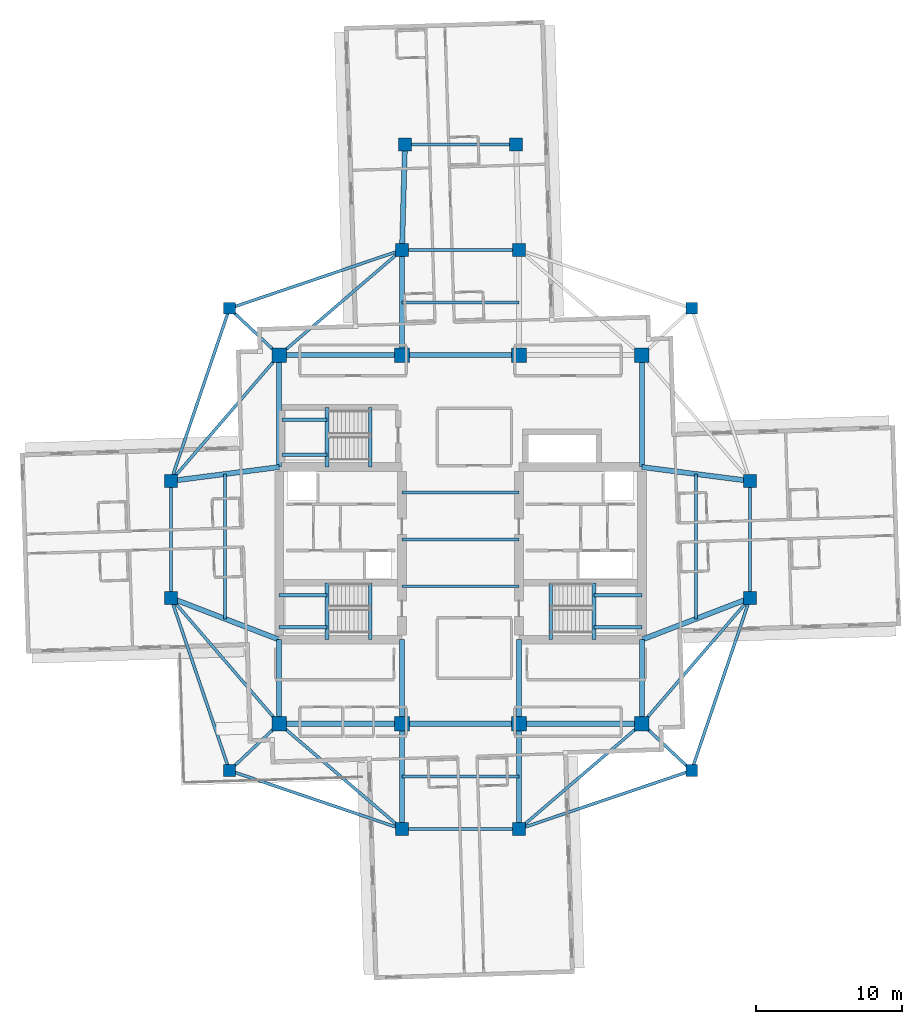
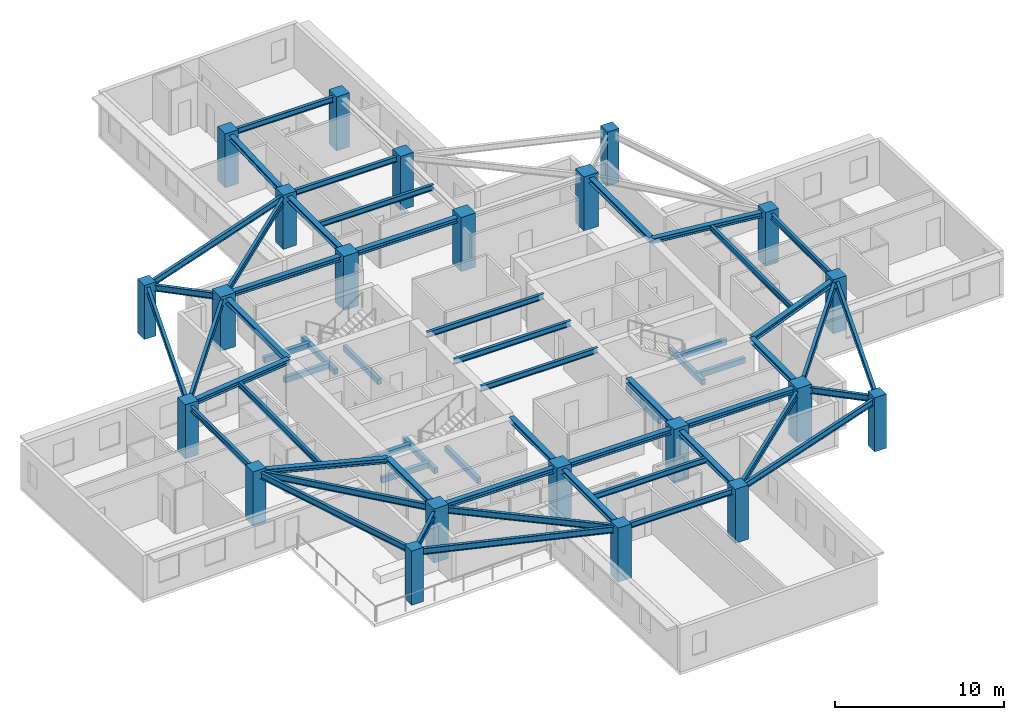
# One storey, part 1 of 12: 58 beams, 22 columns.
"""IFC4 building model written with IfcOpenShell, lengths in metres."""

from ifc_helpers import new_model, si_unit, direction, frame, origin, origin_2d, place, context, subcontext, project, spatial, rectangle, i_section, extrude, material, material_profile, profile_set, type_object, element, save


model = new_model("IFC4")

# Units and contexts
model_context = context("Model", 3, precision=1e-05, world=origin(), true_north=direction((0.0, 1.0)))
body_context = subcontext(model_context, "Body", "Model", "MODEL_VIEW")
ifc_project = project(units=[si_unit("LENGTHUNIT", "METRE"), si_unit("AREAUNIT", "SQUARE_METRE"), si_unit("VOLUMEUNIT", "CUBIC_METRE"), si_unit("PLANEANGLEUNIT", "RADIAN"), si_unit("MASSUNIT", "GRAM", prefix="KILO")], contexts=[model_context])

# Site, building, storey
site_placement = place(None, origin())
site = spatial("IfcSite", under=ifc_project, at=site_placement, CompositionType="ELEMENT")
building_placement = place(site_placement, origin())
building = spatial("IfcBuilding", under=site, at=building_placement, Name="Qingluan Cross Belvedere", CompositionType="ELEMENT")
storey_placement = place(building_placement, frame((0.0, 0.0, 216.89990234375)))
storey = spatial("IfcBuildingStorey", under=building, at=storey_placement, Name="L54", CompositionType="ELEMENT", Elevation=216.89990234375)

# Columns
ifc_material_1 = material(Name="Concrete C50", Category="concrete")
ifc_material_profile_1 = material_profile(ifc_material_1, rectangle(XDim=1.0, YDim=1.0, at=origin_2d()), Name="RC1000x1000")
ifc_profile_set_1 = profile_set([ifc_material_profile_1], Name="Concrete C50")
column_type_1 = type_object("IfcColumnType", Name="Column_RC1000x1000", PredefinedType="COLUMN", material=ifc_profile_set_1)
for number, where, z_axis, x_axis, name in (
    (1, (-12.39990234375, -12.60009765625, 0.0), (0.0, 0.0, 1.0), (1.0, 0.0, 0.0), "Hub column L54-HC1"),
    (2, (12.39990234375, -12.60009765625, 0.0), (0.0, 0.0, 1.0), (1.0, 0.0, 0.0), "Hub column L54-HC2"),
    (3, (12.39990234375, 12.60009765625, 0.0), (0.0, 0.0, 1.0), (1.0, 0.0, 0.0), "Hub column L54-HC3"),
    (4, (-12.39990234375, 12.60009765625, 0.0), (0.0, 0.0, 1.0), (1.0, 0.0, 0.0), "Hub column L54-HC4"),
    (5, (-4.0, -12.60009765625, 0.0), (0.0, 0.0, 1.0), (1.0, 0.0, 0.0), "Hub column L54-HC5"),
    (6, (4.0, -12.60009765625, 0.0), (0.0, 0.0, 1.0), (1.0, 0.0, 0.0), "Hub column L54-HC6"),
    (7, (4.0, 12.60009765625, 0.0), (0.0, 0.0, 1.0), (1.0, 0.0, 0.0), "Hub column L54-HC7"),
    (8, (-4.0, 12.60009765625, 0.0), (0.0, 0.0, 1.0), (1.0, 0.0, 0.0), "Hub column L54-HC8"),
):
    element("IfcColumn", number, at=place(storey_placement, frame(where, z_axis=z_axis, x_axis=x_axis)), inside=storey, type_object=column_type_1, Name=name, PredefinedType="COLUMN", context=body_context, shape_type="SweptSolid", body=[
        extrude(rectangle(XDim=1.0, YDim=1.0, at=origin_2d()), origin(), (0.0, 0.0, 1.0), 3.900146484375),
    ])
ifc_material_2 = material(Name="Concrete C50", Category="concrete")
ifc_material_profile_2 = material_profile(ifc_material_2, rectangle(XDim=0.800048828125, YDim=0.800048828125, at=origin_2d()), Name="RC800x800")
ifc_profile_set_2 = profile_set([ifc_material_profile_2], Name="Concrete C50")
column_type_2 = type_object("IfcColumnType", Name="Column_RC800x800", PredefinedType="COLUMN", material=ifc_profile_set_2)
for number, where, z_axis, x_axis, name in (
    (9, (15.800048828125, 15.800048828125, 0.0), (0.0, 0.0, 1.0), (1.0, 0.0, 0.0), "Corner column L54-RNE"),
    (10, (-15.800048828125, 15.800048828125, 0.0), (0.0, 0.0, 1.0), (1.0, 0.0, 0.0), "Corner column L54-RNW"),
    (11, (-15.800048828125, -15.800048828125, 0.0), (0.0, 0.0, 1.0), (1.0, 0.0, 0.0), "Corner column L54-RSW"),
    (12, (15.800048828125, -15.800048828125, 0.0), (0.0, 0.0, 1.0), (1.0, 0.0, 0.0), "Corner column L54-RSE"),
):
    element("IfcColumn", number, at=place(storey_placement, frame(where, z_axis=z_axis, x_axis=x_axis)), inside=storey, type_object=column_type_2, Name=name, PredefinedType="COLUMN", context=body_context, shape_type="SweptSolid", body=[
        extrude(rectangle(XDim=0.800048828125, YDim=0.800048828125, at=origin_2d()), origin(), (0.0, 0.0, 1.0), 3.900146484375),
    ])
ifc_material_3 = material(Name="Concrete C50", Category="concrete")
ifc_material_profile_3 = material_profile(ifc_material_3, rectangle(XDim=0.89990234375, YDim=0.89990234375, at=origin_2d()), Name="RC900x900")
ifc_profile_set_3 = profile_set([ifc_material_profile_3], Name="Concrete C50")
column_type_3 = type_object("IfcColumnType", Name="Column_RC900x900", PredefinedType="COLUMN", material=ifc_profile_set_3)
for number, where, z_axis, x_axis, name in (
    (13, (19.800048828125, -4.0, 0.0), (0.0, 0.0, 1.0), (1.0, 0.0, 0.0), "Arm column L54-EIA"),
    (14, (19.800048828125, 4.0, 0.0), (0.0, 0.0, 1.0), (1.0, 0.0, 0.0), "Arm column L54-EIB"),
    (15, (-19.800048828125, -4.0, 0.0), (0.0, 0.0, 1.0), (1.0, 0.0, 0.0), "Arm column L54-WIA"),
    (16, (-19.800048828125, 4.0, 0.0), (0.0, 0.0, 1.0), (1.0, 0.0, 0.0), "Arm column L54-WIB"),
    (17, (-4.0, -19.800048828125, 0.0), (0.0, 0.0, 1.0), (1.0, 0.0, 0.0), "Arm column L54-SIA"),
    (18, (4.0, -19.800048828125, 0.0), (0.0, 0.0, 1.0), (1.0, 0.0, 0.0), "Arm column L54-SIB"),
    (19, (-4.0, 19.800048828125, 0.0), (0.0, 0.0, 1.0), (1.0, 0.0, 0.0), "Arm column L54-NIA"),
    (20, (4.0, 19.800048828125, 0.0), (0.0, 0.0, 1.0), (1.0, 0.0, 0.0), "Arm column L54-NIB"),
    (21, (-3.800048828125, 27.0, 0.0), (0.0, 0.0, 1.0), (1.0, 0.0, 0.0), "Arm column L54-NOA"),
    (22, (3.800048828125, 27.0, 0.0), (0.0, 0.0, 1.0), (1.0, 0.0, 0.0), "Arm column L54-NOB"),
):
    element("IfcColumn", number, at=place(storey_placement, frame(where, z_axis=z_axis, x_axis=x_axis)), inside=storey, type_object=column_type_3, Name=name, PredefinedType="COLUMN", context=body_context, shape_type="SweptSolid", body=[
        extrude(rectangle(XDim=0.89990234375, YDim=0.89990234375, at=origin_2d()), origin(), (0.0, 0.0, 1.0), 3.900146484375),
    ])

# Beams
ifc_material_4 = material(Name="Concrete C45", Category="concrete")
ifc_material_profile_4 = material_profile(ifc_material_4, rectangle(XDim=0.25, YDim=0.39990234375, at=origin_2d()), Name="RC250x400")
ifc_profile_set_4 = profile_set([ifc_material_profile_4], Name="Concrete C45")
beam_type_1 = type_object("IfcBeamType", Name="RC_Lintel_RC250x400", PredefinedType="LINTEL", material=ifc_profile_set_4)
for number, where, z_axis, x_axis, name in (
    (23, (-6.179931640625, -6.85009765625, -0.199951171875), (0.0, 1.0, 0.0), (-1.0, 0.0, 0.0), "Stair ST1 landing beam L54"),
    (24, (6.179931640625, -6.85009765625, -0.199951171875), (0.0, 1.0, 0.0), (-1.0, 0.0, 0.0), "Stair ST2 landing beam L54"),
):
    element("IfcBeam", number, at=place(storey_placement, frame(where, z_axis=z_axis, x_axis=x_axis)), inside=storey, type_object=beam_type_1, Name=name, PredefinedType="LINTEL", context=body_context, shape_type="SweptSolid", body=[
        extrude(rectangle(XDim=0.25, YDim=0.39990234375, at=origin_2d()), origin(), (0.0, 0.0, 1.0), 3.89013671875),
    ])
beam_1_placement = place(storey_placement, frame((-6.179931640625, 4.949951171875, -0.199951171875), z_axis=(0.0, 1.0, 0.0), x_axis=(-1.0, 0.0, 0.0)))
element("IfcBeam", 25, at=beam_1_placement, inside=storey, type_object=beam_type_1, Name="Stair ST3 landing beam L54", PredefinedType="LINTEL", context=body_context, shape_type="SweptSolid", body=[
    extrude(rectangle(XDim=0.25, YDim=0.39990234375, at=origin_2d()), origin(), (0.0, 0.0, 1.0), 4.090087890625),
])
beam_2_placement = place(storey_placement, frame((-9.1298828125, -6.85009765625, 1.550048828125), z_axis=(0.0, 1.0, 0.0), x_axis=(-1.0, 0.0, 0.0)))
element("IfcBeam", 26, at=beam_2_placement, inside=storey, type_object=beam_type_1, Name="Stair ST1 beam A L54", PredefinedType="LINTEL", context=body_context, shape_type="SweptSolid", body=[
    extrude(rectangle(XDim=0.25, YDim=0.39990234375, at=origin_2d()), origin(), (0.0, 0.0, 1.0), 3.89013671875),
])
for number, where, z_axis, x_axis, name in (
    (27, (-12.39990234375, -6.0, 1.550048828125), (1.0, 0.0, 0.0), (0.0, 1.0, 0.0), "Stair ST1 beam B L54"),
    (28, (-12.39990234375, -3.81005859375, 1.550048828125), (1.0, 0.0, 0.0), (0.0, 1.0, 0.0), "Stair ST1 beam C L54"),
):
    element("IfcBeam", number, at=place(storey_placement, frame(where, z_axis=z_axis, x_axis=x_axis)), inside=storey, type_object=beam_type_1, Name=name, PredefinedType="LINTEL", context=body_context, shape_type="SweptSolid", body=[
        extrude(rectangle(XDim=0.25, YDim=0.39990234375, at=origin_2d()), origin(), (0.0, 0.0, 1.0), 3.27001953125),
    ])
beam_3_placement = place(storey_placement, frame((9.1298828125, -6.85009765625, 1.550048828125), z_axis=(0.0, 1.0, 0.0), x_axis=(-1.0, 0.0, 0.0)))
element("IfcBeam", 29, at=beam_3_placement, inside=storey, type_object=beam_type_1, Name="Stair ST2 beam A L54", PredefinedType="LINTEL", context=body_context, shape_type="SweptSolid", body=[
    extrude(rectangle(XDim=0.25, YDim=0.39990234375, at=origin_2d()), origin(), (0.0, 0.0, 1.0), 3.89013671875),
])
for number, where, z_axis, x_axis, name in (
    (30, (12.39990234375, -6.0, 1.550048828125), (-1.0, 0.0, 0.0), (0.0, -1.0, 0.0), "Stair ST2 beam B L54"),
    (31, (12.39990234375, -3.81005859375, 1.550048828125), (-1.0, 0.0, 0.0), (0.0, -1.0, 0.0), "Stair ST2 beam C L54"),
):
    element("IfcBeam", number, at=place(storey_placement, frame(where, z_axis=z_axis, x_axis=x_axis)), inside=storey, type_object=beam_type_1, Name=name, PredefinedType="LINTEL", context=body_context, shape_type="SweptSolid", body=[
        extrude(rectangle(XDim=0.25, YDim=0.39990234375, at=origin_2d()), origin(), (0.0, 0.0, 1.0), 3.27001953125),
    ])
beam_4_placement = place(storey_placement, frame((-9.1298828125, 4.949951171875, 1.550048828125), z_axis=(0.0, 1.0, 0.0), x_axis=(-1.0, 0.0, 0.0)))
element("IfcBeam", 32, at=beam_4_placement, inside=storey, type_object=beam_type_1, Name="Stair ST3 beam A L54", PredefinedType="LINTEL", context=body_context, shape_type="SweptSolid", body=[
    extrude(rectangle(XDim=0.25, YDim=0.39990234375, at=origin_2d()), origin(), (0.0, 0.0, 1.0), 4.090087890625),
])
for number, where, z_axis, x_axis, name in (
    (33, (-12.219970703125, 5.800048828125, 1.550048828125), (1.0, 0.0, 0.0), (0.0, 1.0, 0.0), "Stair ST3 beam B L54"),
    (34, (-12.219970703125, 8.18994140625, 1.550048828125), (1.0, 0.0, 0.0), (0.0, 1.0, 0.0), "Stair ST3 beam C L54"),
):
    element("IfcBeam", number, at=place(storey_placement, frame(where, z_axis=z_axis, x_axis=x_axis)), inside=storey, type_object=beam_type_1, Name=name, PredefinedType="LINTEL", context=body_context, shape_type="SweptSolid", body=[
        extrude(rectangle(XDim=0.25, YDim=0.39990234375, at=origin_2d()), origin(), (0.0, 0.0, 1.0), 3.090087890625),
    ])
ifc_material_5 = material(Name="Steel Q420GJB", Category="steel")
ifc_material_profile_5 = material_profile(ifc_material_5, i_section(OverallWidth=0.199951171875, OverallDepth=0.39990234375, WebThickness=0.008056640625, FlangeThickness=0.012939453125, FilletRadius=0.012939453125, at=origin_2d()), Name="HN400x200x8x13")
ifc_profile_set_5 = profile_set([ifc_material_profile_5], Name="Steel Q420GJB")
beam_type_2 = type_object("IfcBeamType", Name="Steel_Beam_HN400x200x8x13", PredefinedType="JOIST", material=ifc_profile_set_5)
for number, where, z_axis, x_axis, name in (
    (35, (-4.0, -3.199951171875, 3.5), (1.0, 0.0, 0.0), (0.0, 1.0, 0.0), "Hall beam L54-CH1"),
    (36, (-4.0, 0.0, 3.5), (1.0, 0.0, 0.0), (0.0, 1.0, 0.0), "Hall beam L54-CH2"),
    (37, (-4.0, 3.199951171875, 3.5), (1.0, 0.0, 0.0), (0.0, 1.0, 0.0), "Hall beam L54-CH3"),
    (38, (19.800048828125, -4.0, 3.5), (0.0, 1.0, 0.0), (-1.0, 0.0, 0.0), "Arm E tie L54"),
):
    element("IfcBeam", number, at=place(storey_placement, frame(where, z_axis=z_axis, x_axis=x_axis)), inside=storey, type_object=beam_type_2, Name=name, PredefinedType="JOIST", context=body_context, shape_type="SweptSolid", body=[
        extrude(i_section(OverallWidth=0.199951171875, OverallDepth=0.39990234375, WebThickness=0.008056640625, FlangeThickness=0.012939453125, FilletRadius=0.012939453125, at=origin_2d()), origin(), (0.0, 0.0, 1.0), 8.0),
    ])
beam_5_placement = place(storey_placement, frame((16.10009765625, -5.425048828125, 3.5), z_axis=(0.0, 1.0, 0.0), x_axis=(-1.0, 0.0, 0.0)))
element("IfcBeam", 39, at=beam_5_placement, inside=storey, type_object=beam_type_2, Name="Arm E beam L54", PredefinedType="JOIST", context=body_context, shape_type="SweptSolid", body=[
    extrude(i_section(OverallWidth=0.199951171875, OverallDepth=0.39990234375, WebThickness=0.008056640625, FlangeThickness=0.012939453125, FilletRadius=0.012939453125, at=origin_2d()), origin(), (0.0, 0.0, 1.0), 9.900146484375),
])
beam_6_placement = place(storey_placement, frame((-19.800048828125, -4.0, 3.5), z_axis=(0.0, 1.0, 0.0), x_axis=(-1.0, 0.0, 0.0)))
element("IfcBeam", 40, at=beam_6_placement, inside=storey, type_object=beam_type_2, Name="Arm W tie L54", PredefinedType="JOIST", context=body_context, shape_type="SweptSolid", body=[
    extrude(i_section(OverallWidth=0.199951171875, OverallDepth=0.39990234375, WebThickness=0.008056640625, FlangeThickness=0.012939453125, FilletRadius=0.012939453125, at=origin_2d()), origin(), (0.0, 0.0, 1.0), 8.0),
])
beam_7_placement = place(storey_placement, frame((-16.10009765625, -5.425048828125, 3.5), z_axis=(0.0, 1.0, 0.0), x_axis=(-1.0, 0.0, 0.0)))
element("IfcBeam", 41, at=beam_7_placement, inside=storey, type_object=beam_type_2, Name="Arm W beam L54", PredefinedType="JOIST", context=body_context, shape_type="SweptSolid", body=[
    extrude(i_section(OverallWidth=0.199951171875, OverallDepth=0.39990234375, WebThickness=0.008056640625, FlangeThickness=0.012939453125, FilletRadius=0.012939453125, at=origin_2d()), origin(), (0.0, 0.0, 1.0), 9.900146484375),
])
for number, where, z_axis, x_axis, name in (
    (42, (-4.0, 19.800048828125, 3.5), (1.0, 0.0, 0.0), (0.0, 1.0, 0.0), "Arm N tie L54"),
    (43, (-4.0, 16.199951171875, 3.5), (1.0, 0.0, 0.0), (0.0, 1.0, 0.0), "Arm N beam L54"),
):
    element("IfcBeam", number, at=place(storey_placement, frame(where, z_axis=z_axis, x_axis=x_axis)), inside=storey, type_object=beam_type_2, Name=name, PredefinedType="JOIST", context=body_context, shape_type="SweptSolid", body=[
        extrude(i_section(OverallWidth=0.199951171875, OverallDepth=0.39990234375, WebThickness=0.008056640625, FlangeThickness=0.012939453125, FilletRadius=0.012939453125, at=origin_2d()), origin(), (0.0, 0.0, 1.0), 8.0),
    ])
beam_8_placement = place(storey_placement, frame((-3.800048828125, 27.0, 3.5), z_axis=(1.0, 0.0, 0.0), x_axis=(0.0, 1.0, 0.0)))
element("IfcBeam", 44, at=beam_8_placement, inside=storey, type_object=beam_type_2, Name="Arm N tip transverse beam L54", PredefinedType="JOIST", context=body_context, shape_type="SweptSolid", body=[
    extrude(i_section(OverallWidth=0.199951171875, OverallDepth=0.39990234375, WebThickness=0.008056640625, FlangeThickness=0.012939453125, FilletRadius=0.012939453125, at=origin_2d()), origin(), (0.0, 0.0, 1.0), 7.60009765625),
])
for number, where, z_axis, x_axis, name in (
    (45, (-4.0, -19.800048828125, 3.5), (1.0, 0.0, 0.0), (0.0, 1.0, 0.0), "Arm S tie L54"),
    (46, (-4.0, -16.199951171875, 3.5), (1.0, 0.0, 0.0), (0.0, 1.0, 0.0), "Arm S beam L54"),
):
    element("IfcBeam", number, at=place(storey_placement, frame(where, z_axis=z_axis, x_axis=x_axis)), inside=storey, type_object=beam_type_2, Name=name, PredefinedType="JOIST", context=body_context, shape_type="SweptSolid", body=[
        extrude(i_section(OverallWidth=0.199951171875, OverallDepth=0.39990234375, WebThickness=0.008056640625, FlangeThickness=0.012939453125, FilletRadius=0.012939453125, at=origin_2d()), origin(), (0.0, 0.0, 1.0), 8.0),
    ])
ifc_material_6 = material(Name="Steel Q420GJB", Category="steel")
ifc_material_profile_6 = material_profile(ifc_material_6, i_section(OverallWidth=0.199951171875, OverallDepth=0.449951171875, WebThickness=0.009033203125, FlangeThickness=0.013916015625, FilletRadius=0.01611328125, at=origin_2d()), Name="HN450x200x9x14")
ifc_profile_set_6 = profile_set([ifc_material_profile_6], Name="Steel Q420GJB")
beam_type_3 = type_object("IfcBeamType", Name="Steel_Beam_HN450x200x9x14", PredefinedType="JOIST", material=ifc_profile_set_6)
beam_9_placement = place(storey_placement, frame((-12.39990234375, 12.60009765625, 3.47509765625), z_axis=(-0.728219948308, 0.685343495546, 0.0), x_axis=(-0.685343495546, -0.728219948308, 0.0)))
element("IfcBeam", 47, at=beam_9_placement, inside=storey, type_object=beam_type_3, Name="Corner beam 1 L54-RNW", PredefinedType="JOIST", context=body_context, shape_type="SweptSolid", body=[
    extrude(i_section(OverallWidth=0.199951171875, OverallDepth=0.449951171875, WebThickness=0.009033203125, FlangeThickness=0.013916015625, FilletRadius=0.01611328125, at=origin_2d()), origin(), (0.0, 0.0, 1.0), 4.669189453125),
])
for number, where, z_axis, x_axis, name in (
    (48, (-15.800048828125, 15.800048828125, 3.47509765625), (0.947066283324, 0.321038089628, 0.0), (-0.321038089628, 0.947066283324, 0.0), "Corner beam 2 L54-RNW"),
    (49, (-15.800048828125, 15.800048828125, 3.47509765625), (-0.321038089628, -0.947066283324, 0.0), (0.947066283324, -0.321038089628, 0.0), "Corner beam 3 L54-RNW"),
):
    element("IfcBeam", number, at=place(storey_placement, frame(where, z_axis=z_axis, x_axis=x_axis)), inside=storey, type_object=beam_type_3, Name=name, PredefinedType="JOIST", context=body_context, shape_type="SweptSolid", body=[
        extrude(i_section(OverallWidth=0.199951171875, OverallDepth=0.449951171875, WebThickness=0.009033203125, FlangeThickness=0.013916015625, FilletRadius=0.01611328125, at=origin_2d()), origin(), (0.0, 0.0, 1.0), 12.45947265625),
    ])
beam_10_placement = place(storey_placement, frame((-12.39990234375, 12.60009765625, 3.47509765625), z_axis=(-0.652245077546, -0.75800815221, 0.0), x_axis=(0.75800815221, -0.652245077546, 0.0)))
element("IfcBeam", 50, at=beam_10_placement, inside=storey, type_object=beam_type_3, Name="Corner beam 4 L54-RNW", PredefinedType="JOIST", context=body_context, shape_type="SweptSolid", body=[
    extrude(i_section(OverallWidth=0.199951171875, OverallDepth=0.449951171875, WebThickness=0.009033203125, FlangeThickness=0.013916015625, FilletRadius=0.01611328125, at=origin_2d()), origin(), (0.0, 0.0, 1.0), 11.345703125),
])
beam_11_placement = place(storey_placement, frame((-12.39990234375, 12.60009765625, 3.47509765625), z_axis=(0.759255044656, 0.650793190779, 0.0), x_axis=(-0.650793190779, 0.759255044656, 0.0)))
element("IfcBeam", 51, at=beam_11_placement, inside=storey, type_object=beam_type_3, Name="Corner beam 5 L54-RNW", PredefinedType="JOIST", context=body_context, shape_type="SweptSolid", body=[
    extrude(i_section(OverallWidth=0.199951171875, OverallDepth=0.449951171875, WebThickness=0.009033203125, FlangeThickness=0.013916015625, FilletRadius=0.01611328125, at=origin_2d()), origin(), (0.0, 0.0, 1.0), 11.063232421875),
])
beam_12_placement = place(storey_placement, frame((-12.39990234375, -12.60009765625, 3.47509765625), z_axis=(-0.728219948308, -0.685343495546, 0.0), x_axis=(0.685343495546, -0.728219948308, 0.0)))
element("IfcBeam", 52, at=beam_12_placement, inside=storey, type_object=beam_type_3, Name="Corner beam 1 L54-RSW", PredefinedType="JOIST", context=body_context, shape_type="SweptSolid", body=[
    extrude(i_section(OverallWidth=0.199951171875, OverallDepth=0.449951171875, WebThickness=0.009033203125, FlangeThickness=0.013916015625, FilletRadius=0.01611328125, at=origin_2d()), origin(), (0.0, 0.0, 1.0), 4.669189453125),
])
for number, where, z_axis, x_axis, name in (
    (53, (-15.800048828125, -15.800048828125, 3.47509765625), (0.947066283324, -0.321038089628, 0.0), (0.321038089628, 0.947066283324, 0.0), "Corner beam 2 L54-RSW"),
    (54, (-15.800048828125, -15.800048828125, 3.47509765625), (-0.321038089628, 0.947066283324, 0.0), (-0.947066283324, -0.321038089628, 0.0), "Corner beam 3 L54-RSW"),
):
    element("IfcBeam", number, at=place(storey_placement, frame(where, z_axis=z_axis, x_axis=x_axis)), inside=storey, type_object=beam_type_3, Name=name, PredefinedType="JOIST", context=body_context, shape_type="SweptSolid", body=[
        extrude(i_section(OverallWidth=0.199951171875, OverallDepth=0.449951171875, WebThickness=0.009033203125, FlangeThickness=0.013916015625, FilletRadius=0.01611328125, at=origin_2d()), origin(), (0.0, 0.0, 1.0), 12.45947265625),
    ])
beam_13_placement = place(storey_placement, frame((-12.39990234375, -12.60009765625, 3.47509765625), z_axis=(-0.652245077546, 0.75800815221, 0.0), x_axis=(-0.75800815221, -0.652245077546, 0.0)))
element("IfcBeam", 55, at=beam_13_placement, inside=storey, type_object=beam_type_3, Name="Corner beam 4 L54-RSW", PredefinedType="JOIST", context=body_context, shape_type="SweptSolid", body=[
    extrude(i_section(OverallWidth=0.199951171875, OverallDepth=0.449951171875, WebThickness=0.009033203125, FlangeThickness=0.013916015625, FilletRadius=0.01611328125, at=origin_2d()), origin(), (0.0, 0.0, 1.0), 11.345703125),
])
beam_14_placement = place(storey_placement, frame((-12.39990234375, -12.60009765625, 3.47509765625), z_axis=(0.759255044656, -0.650793190779, 0.0), x_axis=(0.650793190779, 0.759255044656, 0.0)))
element("IfcBeam", 56, at=beam_14_placement, inside=storey, type_object=beam_type_3, Name="Corner beam 5 L54-RSW", PredefinedType="JOIST", context=body_context, shape_type="SweptSolid", body=[
    extrude(i_section(OverallWidth=0.199951171875, OverallDepth=0.449951171875, WebThickness=0.009033203125, FlangeThickness=0.013916015625, FilletRadius=0.01611328125, at=origin_2d()), origin(), (0.0, 0.0, 1.0), 11.063232421875),
])
beam_15_placement = place(storey_placement, frame((12.39990234375, -12.60009765625, 3.455078125), z_axis=(0.728219948308, -0.685343495546, 0.0), x_axis=(0.685343495546, 0.728219948308, 0.0)))
element("IfcBeam", 57, at=beam_15_placement, inside=storey, type_object=beam_type_3, Name="Corner beam 1 L54-RSE", PredefinedType="JOIST", context=body_context, shape_type="SweptSolid", body=[
    extrude(i_section(OverallWidth=0.199951171875, OverallDepth=0.449951171875, WebThickness=0.009033203125, FlangeThickness=0.013916015625, FilletRadius=0.01611328125, at=origin_2d()), origin(), (0.0, 0.0, 1.0), 4.669189453125),
])
for number, where, z_axis, x_axis, name in (
    (58, (15.800048828125, -15.800048828125, 3.455078125), (-0.947066283324, -0.321038089628, 0.0), (0.321038089628, -0.947066283324, 0.0), "Corner beam 2 L54-RSE"),
    (59, (15.800048828125, -15.800048828125, 3.455078125), (0.321038089628, 0.947066283324, 0.0), (-0.947066283324, 0.321038089628, 0.0), "Corner beam 3 L54-RSE"),
):
    element("IfcBeam", number, at=place(storey_placement, frame(where, z_axis=z_axis, x_axis=x_axis)), inside=storey, type_object=beam_type_3, Name=name, PredefinedType="JOIST", context=body_context, shape_type="SweptSolid", body=[
        extrude(i_section(OverallWidth=0.199951171875, OverallDepth=0.449951171875, WebThickness=0.009033203125, FlangeThickness=0.013916015625, FilletRadius=0.01611328125, at=origin_2d()), origin(), (0.0, 0.0, 1.0), 12.45947265625),
    ])
beam_16_placement = place(storey_placement, frame((12.39990234375, -12.60009765625, 3.455078125), z_axis=(0.652245077546, 0.75800815221, 0.0), x_axis=(-0.75800815221, 0.652245077546, 0.0)))
element("IfcBeam", 60, at=beam_16_placement, inside=storey, type_object=beam_type_3, Name="Corner beam 4 L54-RSE", PredefinedType="JOIST", context=body_context, shape_type="SweptSolid", body=[
    extrude(i_section(OverallWidth=0.199951171875, OverallDepth=0.449951171875, WebThickness=0.009033203125, FlangeThickness=0.013916015625, FilletRadius=0.01611328125, at=origin_2d()), origin(), (0.0, 0.0, 1.0), 11.345703125),
])
beam_17_placement = place(storey_placement, frame((12.39990234375, -12.60009765625, 3.455078125), z_axis=(-0.759255044656, -0.650793190779, 0.0), x_axis=(0.650793190779, -0.759255044656, 0.0)))
element("IfcBeam", 61, at=beam_17_placement, inside=storey, type_object=beam_type_3, Name="Corner beam 5 L54-RSE", PredefinedType="JOIST", context=body_context, shape_type="SweptSolid", body=[
    extrude(i_section(OverallWidth=0.199951171875, OverallDepth=0.449951171875, WebThickness=0.009033203125, FlangeThickness=0.013916015625, FilletRadius=0.01611328125, at=origin_2d()), origin(), (0.0, 0.0, 1.0), 11.063232421875),
])
ifc_material_7 = material(Name="Steel Q420GJB", Category="steel")
ifc_material_profile_7 = material_profile(ifc_material_7, i_section(OverallWidth=0.35009765625, OverallDepth=0.35009765625, WebThickness=0.011962890625, FlangeThickness=0.01904296875, FilletRadius=0.02001953125, at=origin_2d()), Name="HW350x350x12x19")
ifc_profile_set_7 = profile_set([ifc_material_profile_7], Name="Steel Q420GJB")
beam_type_4 = type_object("IfcBeamType", Name="Steel_Girder_HW350x350x12x19", PredefinedType="USERDEFINED", material=ifc_profile_set_7)
beam_18_placement = place(storey_placement, frame((-12.39990234375, -12.60009765625, 3.525146484375), z_axis=(1.0, 0.0, 0.0), x_axis=(0.0, 1.0, 0.0)))
element("IfcBeam", 62, at=beam_18_placement, inside=storey, type_object=beam_type_4, Name="Hub girder L54-HG-S1", ObjectType="GIRDER", PredefinedType="USERDEFINED", context=body_context, shape_type="SweptSolid", body=[
    extrude(i_section(OverallWidth=0.35009765625, OverallDepth=0.35009765625, WebThickness=0.011962890625, FlangeThickness=0.01904296875, FilletRadius=0.02001953125, at=origin_2d()), origin(), (0.0, 0.0, 1.0), 8.39990234375),
])
beam_19_placement = place(storey_placement, frame((-4.0, -12.60009765625, 3.525146484375), z_axis=(1.0, 0.0, 0.0), x_axis=(0.0, 1.0, 0.0)))
element("IfcBeam", 63, at=beam_19_placement, inside=storey, type_object=beam_type_4, Name="Hub girder L54-HG-S2", ObjectType="GIRDER", PredefinedType="USERDEFINED", context=body_context, shape_type="SweptSolid", body=[
    extrude(i_section(OverallWidth=0.35009765625, OverallDepth=0.35009765625, WebThickness=0.011962890625, FlangeThickness=0.01904296875, FilletRadius=0.02001953125, at=origin_2d()), origin(), (0.0, 0.0, 1.0), 8.0),
])
for number, where, z_axis, x_axis, name in (
    (64, (4.0, -12.60009765625, 3.525146484375), (1.0, 0.0, 0.0), (0.0, 1.0, 0.0), "Hub girder L54-HG-S3"),
    (65, (-12.39990234375, 12.60009765625, 3.525146484375), (1.0, 0.0, 0.0), (0.0, 1.0, 0.0), "Hub girder L54-HG-N1"),
):
    element("IfcBeam", number, at=place(storey_placement, frame(where, z_axis=z_axis, x_axis=x_axis)), inside=storey, type_object=beam_type_4, Name=name, ObjectType="GIRDER", PredefinedType="USERDEFINED", context=body_context, shape_type="SweptSolid", body=[
        extrude(i_section(OverallWidth=0.35009765625, OverallDepth=0.35009765625, WebThickness=0.011962890625, FlangeThickness=0.01904296875, FilletRadius=0.02001953125, at=origin_2d()), origin(), (0.0, 0.0, 1.0), 8.39990234375),
    ])
beam_20_placement = place(storey_placement, frame((-4.0, 12.60009765625, 3.525146484375), z_axis=(1.0, 0.0, 0.0), x_axis=(0.0, 1.0, 0.0)))
element("IfcBeam", 66, at=beam_20_placement, inside=storey, type_object=beam_type_4, Name="Hub girder L54-HG-N2", ObjectType="GIRDER", PredefinedType="USERDEFINED", context=body_context, shape_type="SweptSolid", body=[
    extrude(i_section(OverallWidth=0.35009765625, OverallDepth=0.35009765625, WebThickness=0.011962890625, FlangeThickness=0.01904296875, FilletRadius=0.02001953125, at=origin_2d()), origin(), (0.0, 0.0, 1.0), 8.0),
])
beam_21_placement = place(storey_placement, frame((-12.39990234375, -12.60009765625, 3.525146484375), z_axis=(0.0, 1.0, 0.0), x_axis=(-1.0, 0.0, 0.0)))
element("IfcBeam", 67, at=beam_21_placement, inside=storey, type_object=beam_type_4, Name="Hub girder L54-HG-W1", ObjectType="GIRDER", PredefinedType="USERDEFINED", context=body_context, shape_type="SweptSolid", body=[
    extrude(i_section(OverallWidth=0.35009765625, OverallDepth=0.35009765625, WebThickness=0.011962890625, FlangeThickness=0.01904296875, FilletRadius=0.02001953125, at=origin_2d()), origin(), (0.0, 0.0, 1.0), 5.75),
])
beam_22_placement = place(storey_placement, frame((-12.39990234375, 4.949951171875, 3.525146484375), z_axis=(0.0, 1.0, 0.0), x_axis=(-1.0, 0.0, 0.0)))
element("IfcBeam", 68, at=beam_22_placement, inside=storey, type_object=beam_type_4, Name="Hub girder L54-HG-W2", ObjectType="GIRDER", PredefinedType="USERDEFINED", context=body_context, shape_type="SweptSolid", body=[
    extrude(i_section(OverallWidth=0.35009765625, OverallDepth=0.35009765625, WebThickness=0.011962890625, FlangeThickness=0.01904296875, FilletRadius=0.02001953125, at=origin_2d()), origin(), (0.0, 0.0, 1.0), 7.650146484375),
])
beam_23_placement = place(storey_placement, frame((12.39990234375, -12.60009765625, 3.525146484375), z_axis=(0.0, 1.0, 0.0), x_axis=(-1.0, 0.0, 0.0)))
element("IfcBeam", 69, at=beam_23_placement, inside=storey, type_object=beam_type_4, Name="Hub girder L54-HG-E1", ObjectType="GIRDER", PredefinedType="USERDEFINED", context=body_context, shape_type="SweptSolid", body=[
    extrude(i_section(OverallWidth=0.35009765625, OverallDepth=0.35009765625, WebThickness=0.011962890625, FlangeThickness=0.01904296875, FilletRadius=0.02001953125, at=origin_2d()), origin(), (0.0, 0.0, 1.0), 5.75),
])
beam_24_placement = place(storey_placement, frame((12.39990234375, 4.949951171875, 3.525146484375), z_axis=(0.0, 1.0, 0.0), x_axis=(-1.0, 0.0, 0.0)))
element("IfcBeam", 70, at=beam_24_placement, inside=storey, type_object=beam_type_4, Name="Hub girder L54-HG-E2", ObjectType="GIRDER", PredefinedType="USERDEFINED", context=body_context, shape_type="SweptSolid", body=[
    extrude(i_section(OverallWidth=0.35009765625, OverallDepth=0.35009765625, WebThickness=0.011962890625, FlangeThickness=0.01904296875, FilletRadius=0.02001953125, at=origin_2d()), origin(), (0.0, 0.0, 1.0), 7.650146484375),
])
for number, where, z_axis, x_axis, name in (
    (71, (-4.0, -12.60009765625, 3.525146484375), (0.0, 1.0, 0.0), (-1.0, 0.0, 0.0), "Hub girder L54-HG-CW"),
    (72, (4.0, -12.60009765625, 3.525146484375), (0.0, 1.0, 0.0), (-1.0, 0.0, 0.0), "Hub girder L54-HG-CE"),
):
    element("IfcBeam", number, at=place(storey_placement, frame(where, z_axis=z_axis, x_axis=x_axis)), inside=storey, type_object=beam_type_4, Name=name, ObjectType="GIRDER", PredefinedType="USERDEFINED", context=body_context, shape_type="SweptSolid", body=[
        extrude(i_section(OverallWidth=0.35009765625, OverallDepth=0.35009765625, WebThickness=0.011962890625, FlangeThickness=0.01904296875, FilletRadius=0.02001953125, at=origin_2d()), origin(), (0.0, 0.0, 1.0), 5.75),
    ])
beam_25_placement = place(storey_placement, frame((12.39990234375, -6.85009765625, 3.525146484375), z_axis=(0.933181258889, 0.359406090735, 0.0), x_axis=(-0.359406090735, 0.933181258889, 0.0)))
element("IfcBeam", 73, at=beam_25_placement, inside=storey, type_object=beam_type_4, Name="Arm E radial girder A L54", ObjectType="GIRDER", PredefinedType="USERDEFINED", context=body_context, shape_type="SweptSolid", body=[
    extrude(i_section(OverallWidth=0.35009765625, OverallDepth=0.35009765625, WebThickness=0.011962890625, FlangeThickness=0.01904296875, FilletRadius=0.02001953125, at=origin_2d()), origin(), (0.0, 0.0, 1.0), 7.929931640625),
])
beam_26_placement = place(storey_placement, frame((12.39990234375, 4.949951171875, 3.525146484375), z_axis=(0.991861120628, -0.12732445714, 0.0), x_axis=(0.12732445714, 0.991861120628, 0.0)))
element("IfcBeam", 74, at=beam_26_placement, inside=storey, type_object=beam_type_4, Name="Arm E radial girder B L54", ObjectType="GIRDER", PredefinedType="USERDEFINED", context=body_context, shape_type="SweptSolid", body=[
    extrude(i_section(OverallWidth=0.35009765625, OverallDepth=0.35009765625, WebThickness=0.011962890625, FlangeThickness=0.01904296875, FilletRadius=0.02001953125, at=origin_2d()), origin(), (0.0, 0.0, 1.0), 7.4609375),
])
beam_27_placement = place(storey_placement, frame((-12.39990234375, -6.85009765625, 3.525146484375), z_axis=(-0.933181258889, 0.359406090735, 0.0), x_axis=(-0.359406090735, -0.933181258889, 0.0)))
element("IfcBeam", 75, at=beam_27_placement, inside=storey, type_object=beam_type_4, Name="Arm W radial girder A L54", ObjectType="GIRDER", PredefinedType="USERDEFINED", context=body_context, shape_type="SweptSolid", body=[
    extrude(i_section(OverallWidth=0.35009765625, OverallDepth=0.35009765625, WebThickness=0.011962890625, FlangeThickness=0.01904296875, FilletRadius=0.02001953125, at=origin_2d()), origin(), (0.0, 0.0, 1.0), 7.929931640625),
])
beam_28_placement = place(storey_placement, frame((-12.39990234375, 4.949951171875, 3.525146484375), z_axis=(-0.991861120628, -0.12732445714, 0.0), x_axis=(0.12732445714, -0.991861120628, 0.0)))
element("IfcBeam", 76, at=beam_28_placement, inside=storey, type_object=beam_type_4, Name="Arm W radial girder B L54", ObjectType="GIRDER", PredefinedType="USERDEFINED", context=body_context, shape_type="SweptSolid", body=[
    extrude(i_section(OverallWidth=0.35009765625, OverallDepth=0.35009765625, WebThickness=0.011962890625, FlangeThickness=0.01904296875, FilletRadius=0.02001953125, at=origin_2d()), origin(), (0.0, 0.0, 1.0), 7.4609375),
])
beam_29_placement = place(storey_placement, frame((-4.0, 12.60009765625, 3.525146484375), z_axis=(0.0, 1.0, 0.0), x_axis=(-1.0, 0.0, 0.0)))
element("IfcBeam", 77, at=beam_29_placement, inside=storey, type_object=beam_type_4, Name="Arm N radial girder A L54", ObjectType="GIRDER", PredefinedType="USERDEFINED", context=body_context, shape_type="SweptSolid", body=[
    extrude(i_section(OverallWidth=0.35009765625, OverallDepth=0.35009765625, WebThickness=0.011962890625, FlangeThickness=0.01904296875, FilletRadius=0.02001953125, at=origin_2d()), origin(), (0.0, 0.0, 1.0), 7.199951171875),
])
beam_30_placement = place(storey_placement, frame((-4.0, 19.800048828125, 3.525146484375), z_axis=(0.027760481514, 0.999614603568, 0.0), x_axis=(-0.999614603568, 0.027760481514, 0.0)))
element("IfcBeam", 78, at=beam_30_placement, inside=storey, type_object=beam_type_4, Name="Arm N outer radial girder A L54", ObjectType="GIRDER", PredefinedType="USERDEFINED", context=body_context, shape_type="SweptSolid", body=[
    extrude(i_section(OverallWidth=0.35009765625, OverallDepth=0.35009765625, WebThickness=0.011962890625, FlangeThickness=0.01904296875, FilletRadius=0.02001953125, at=origin_2d()), origin(), (0.0, 0.0, 1.0), 7.20263671875),
])
for number, where, z_axis, x_axis, name in (
    (79, (-4.0, -12.60009765625, 3.525146484375), (0.0, -1.0, 0.0), (1.0, 0.0, 0.0), "Arm S radial girder A L54"),
    (80, (4.0, -12.60009765625, 3.525146484375), (0.0, -1.0, 0.0), (1.0, 0.0, 0.0), "Arm S radial girder B L54"),
):
    element("IfcBeam", number, at=place(storey_placement, frame(where, z_axis=z_axis, x_axis=x_axis)), inside=storey, type_object=beam_type_4, Name=name, ObjectType="GIRDER", PredefinedType="USERDEFINED", context=body_context, shape_type="SweptSolid", body=[
        extrude(i_section(OverallWidth=0.35009765625, OverallDepth=0.35009765625, WebThickness=0.011962890625, FlangeThickness=0.01904296875, FilletRadius=0.02001953125, at=origin_2d()), origin(), (0.0, 0.0, 1.0), 7.199951171875),
    ])

save(model, "model.ifc")
